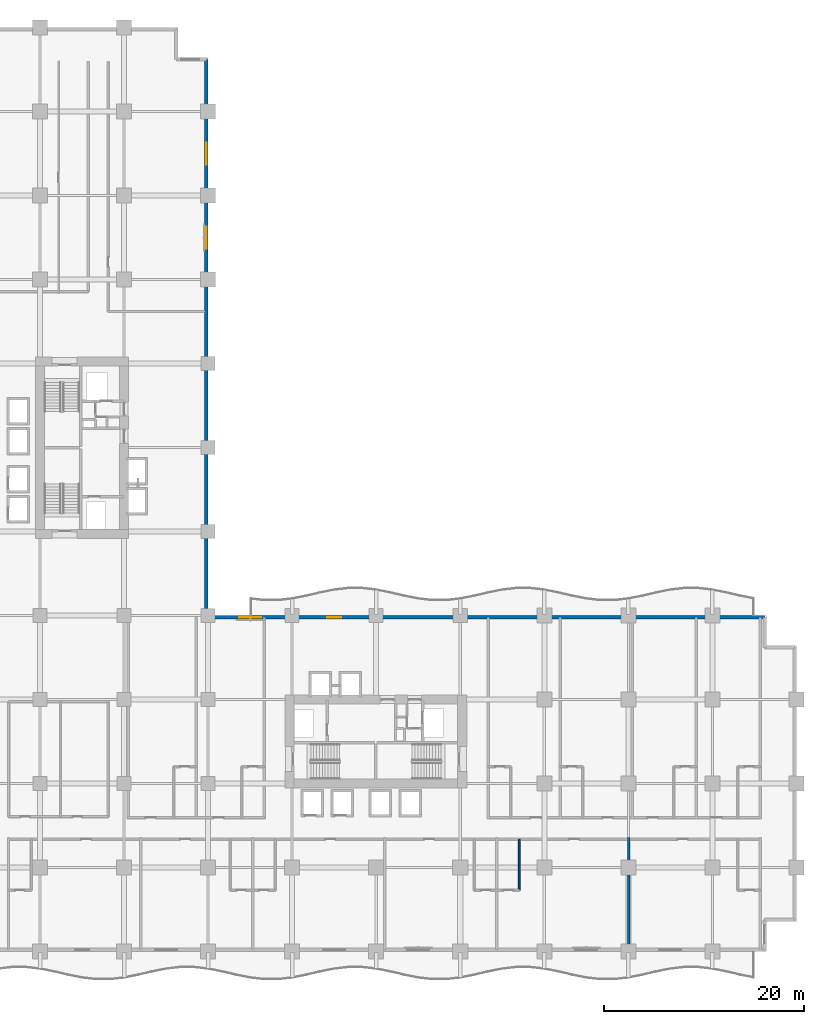
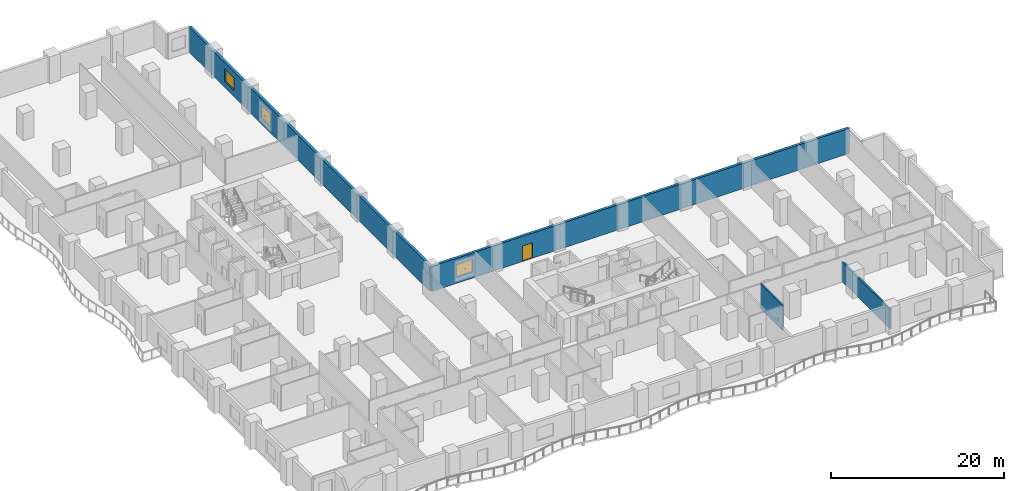
# One storey, part 11 of 22: 4 walls, 3 windows, 1 door, 4 openings.
"""IFC4 building model written with IfcOpenShell, lengths in metres."""

from ifc_helpers import new_model, si_unit, direction, frame, frame_2d, origin, place, context, subcontext, project, spatial, rectangle, extrude, material, layer, layer_set, type_object, element, fill, save


model = new_model("IFC4")

# Units and contexts
model_context = context("Model", 3, precision=1e-05, world=origin(), true_north=direction((0.0, 1.0)))
body_context = subcontext(model_context, "Body", "Model", "MODEL_VIEW")
ifc_project = project(units=[si_unit("LENGTHUNIT", "METRE"), si_unit("AREAUNIT", "SQUARE_METRE"), si_unit("VOLUMEUNIT", "CUBIC_METRE"), si_unit("PLANEANGLEUNIT", "RADIAN"), si_unit("MASSUNIT", "GRAM", prefix="KILO")], contexts=[model_context])

# Site, building, storey
site_placement = place(None, origin())
site = spatial("IfcSite", under=ifc_project, at=site_placement, CompositionType="ELEMENT")
building_placement = place(site_placement, origin())
building = spatial("IfcBuilding", under=site, at=building_placement, Name="Koriwani Terraces Tower", CompositionType="ELEMENT")
storey_placement = place(building_placement, frame((0.0, 0.0, 51.0)))
storey = spatial("IfcBuildingStorey", under=building, at=storey_placement, Name="L11", CompositionType="ELEMENT", Elevation=51.0)

# Wall
ifc_material_1 = material(Name="Autoclaved Cellular Concrete Blockwork", Category="masonry")
ifc_layer_1 = layer(ifc_material_1, 0.219970703125, Name="Autoclaved Cellular Concrete Blockwork")
ifc_layer_set_1 = layer_set([ifc_layer_1], Name="Autoclaved Cellular Concrete Blockwork")
wall_type_1 = type_object("IfcWallType", Name="WALL_DEMISING_220", PredefinedType="PARTITIONING", material=ifc_layer_set_1)
wall_1_placement = place(storey_placement, frame((75.64990234375, 0.199951171875, 0.0), z_axis=(0.0, 0.0, 1.0), x_axis=(0.0, 1.0, 0.0)))
element("IfcWall", 1, at=wall_1_placement, inside=storey, type_object=wall_type_1, Name="L11 Interior Wall WDEM-L11-SW-5", PredefinedType="PARTITIONING", context=body_context, shape_type="SweptSolid", body=[
    extrude(rectangle(XDim=11.22998046875, YDim=0.219970703125, at=frame_2d((5.614990234375, 0.0))), origin(), (0.0, 0.0, 1.0), 2.800048828125),
])

# Wall, openings, windows
ifc_material_2 = material(Name="Concrete C50/60", Category="concrete")
ifc_layer_2 = layer(ifc_material_2, 0.35009765625, Name="Concrete C50/60")
ifc_layer_set_2 = layer_set([ifc_layer_2], Name="Concrete C50/60")
wall_type_2 = type_object("IfcWallType", Name="WALL_EXT_BRUTALIST_350", PredefinedType="STANDARD", material=ifc_layer_set_2)
wall_2_placement = place(storey_placement, frame((33.425048828125, 89.22509765625, 0.0), z_axis=(0.0, 0.0, 1.0), x_axis=(0.0, -1.0, 0.0)))
wall_2 = element("IfcWall", 2, at=wall_2_placement, inside=storey, type_object=wall_type_2, Name="L11 Fair-Faced Brutalist Exterior Wall (NW_IN)", PredefinedType="STANDARD", context=body_context, shape_type="SweptSolid", body=[
    extrude(rectangle(XDim=55.800048828125, YDim=0.35009765625, at=frame_2d((27.89990234375, 0.0))), origin(), (0.0, 0.0, 1.0), 3.550048828125),
])
opening_1_placement = place(wall_2_placement, frame((16.72509765625, 0.0, 0.85009765625)))
opening_1 = element("IfcOpeningElement", 3, at=opening_1_placement, cuts=wall_2, Name="Opening W-01", PredefinedType="OPENING", context=body_context, shape_type="SweptSolid", body=[
    extrude(rectangle(XDim=2.199951171875, YDim=1.800048828125, at=frame_2d((1.10009765625, 0.89990234375))), frame((0.0, 0.18505859375, 0.0), z_axis=(0.0, -1.0, 0.0), x_axis=(1.0, 0.0, 0.0)), (0.0, 0.0, 1.0), 0.3701171875),
])
opening_2_placement = place(wall_2_placement, frame((8.324951171875, 0.0, 0.85009765625)))
opening_2 = element("IfcOpeningElement", 4, at=opening_2_placement, cuts=wall_2, Name="Opening W-01", PredefinedType="OPENING", context=body_context, shape_type="SweptSolid", body=[
    extrude(rectangle(XDim=2.199951171875, YDim=1.800048828125, at=frame_2d((1.10009765625, 0.89990234375))), frame((0.0, 0.18505859375, 0.0), z_axis=(0.0, -1.0, 0.0), x_axis=(1.0, 0.0, 0.0)), (0.0, 0.0, 1.0), 0.3701171875),
])
ifc_material_3 = material(Name="Tempered Laminated Low-E Glass", Category="glass")
window_type = type_object("IfcWindowType", Name="WIN_HOTEL_STD_2200X1800", PartitioningType="DOUBLE_PANEL_VERTICAL", PredefinedType="WINDOW", material=ifc_material_3)
window_1_placement = place(opening_1_placement, origin())
window_1 = element("IfcWindow", 5, at=window_1_placement, inside=storey, type_object=window_type, Name="L11 Exterior Window (NW_IN-14)", OverallHeight=1.800048828125, OverallWidth=2.199951171875, PartitioningType="SINGLE_PANEL", PredefinedType="WINDOW", context=body_context, shape_type="SweptSolid", body=[
    extrude(rectangle(XDim=2.199951171875, YDim=1.800048828125, at=frame_2d((1.10009765625, 0.89990234375))), frame((0.0, 0.030029296875, 0.0), z_axis=(0.0, -1.0, 0.0), x_axis=(1.0, 0.0, 0.0)), (0.0, 0.0, 1.0), 0.06005859375),
])
fill(opening_1, window_1)
window_2_placement = place(opening_2_placement, origin())
window_2 = element("IfcWindow", 6, at=window_2_placement, inside=storey, type_object=window_type, Name="L11 Exterior Window (NW_IN-17)", OverallHeight=1.800048828125, OverallWidth=2.199951171875, PartitioningType="SINGLE_PANEL", PredefinedType="WINDOW", context=body_context, shape_type="SweptSolid", body=[
    extrude(rectangle(XDim=2.199951171875, YDim=1.800048828125, at=frame_2d((1.10009765625, 0.89990234375))), frame((0.0, 0.030029296875, 0.0), z_axis=(0.0, -1.0, 0.0), x_axis=(1.0, 0.0, 0.0)), (0.0, 0.0, 1.0), 0.06005859375),
])
fill(opening_2, window_2)

# Wall, openings, door, window
wall_3_placement = place(storey_placement, frame((33.425048828125, 33.425048828125, 0.0), z_axis=(0.0, 0.0, 1.0), x_axis=(1.0, 0.0, 0.0)))
wall_3 = element("IfcWall", 7, at=wall_3_placement, inside=storey, type_object=wall_type_2, Name="L11 Fair-Faced Brutalist Exterior Wall (NE)", PredefinedType="STANDARD", context=body_context, shape_type="SweptSolid", body=[
    extrude(rectangle(XDim=55.800048828125, YDim=0.35009765625, at=frame_2d((27.89990234375, 0.0))), origin(), (0.0, 0.0, 1.0), 3.550048828125),
])
opening_3_placement = place(wall_3_placement, frame((12.074951171875, 0.0, 0.0)))
opening_3 = element("IfcOpeningElement", 8, at=opening_3_placement, cuts=wall_3, Name="Opening D-09", PredefinedType="OPENING", context=body_context, shape_type="SweptSolid", body=[
    extrude(rectangle(XDim=1.39990234375, YDim=2.199951171875, at=frame_2d((0.699951171875, 1.10009765625))), frame((0.0, 0.18505859375, 0.0), z_axis=(0.0, -1.0, 0.0), x_axis=(1.0, 0.0, 0.0)), (0.0, 0.0, 1.0), 0.3701171875),
])
opening_4_placement = place(wall_3_placement, frame((3.27490234375, 0.0, 0.85009765625)))
opening_4 = element("IfcOpeningElement", 9, at=opening_4_placement, cuts=wall_3, Name="Opening W-01", PredefinedType="OPENING", context=body_context, shape_type="SweptSolid", body=[
    extrude(rectangle(XDim=2.199951171875, YDim=1.800048828125, at=frame_2d((1.10009765625, 0.89990234375))), frame((0.0, 0.18505859375, 0.0), z_axis=(0.0, -1.0, 0.0), x_axis=(1.0, 0.0, 0.0)), (0.0, 0.0, 1.0), 0.3701171875),
])
ifc_material_4 = material(Name="Anodised Bronze Aluminium", Category="aluminium")
door_type = type_object("IfcDoorType", Name="DOOR_BALCONY_GLAZED_1400X2200", OperationType="NOTDEFINED", PredefinedType="DOOR", material=ifc_material_4)
door_placement = place(opening_3_placement, origin())
door = element("IfcDoor", 10, at=door_placement, inside=storey, type_object=door_type, Name="L11 Inner Court Balcony Glazed Door", OperationType="SINGLE_SWING_LEFT", OverallHeight=2.199951171875, OverallWidth=1.39990234375, PredefinedType="DOOR", context=body_context, shape_type="SweptSolid", body=[
    extrude(rectangle(XDim=1.39990234375, YDim=2.199951171875, at=frame_2d((0.699951171875, 1.10009765625))), frame((0.0, 0.02490234375, 0.0), z_axis=(0.0, -1.0, 0.0), x_axis=(1.0, 0.0, 0.0)), (0.0, 0.0, 1.0), 0.050048828125),
])
fill(opening_3, door)
window_3_placement = place(opening_4_placement, origin())
window_3 = element("IfcWindow", 11, at=window_3_placement, inside=storey, type_object=window_type, Name="L11 Exterior Window (NE-2)", OverallHeight=1.800048828125, OverallWidth=2.199951171875, PartitioningType="SINGLE_PANEL", PredefinedType="WINDOW", context=body_context, shape_type="SweptSolid", body=[
    extrude(rectangle(XDim=2.199951171875, YDim=1.800048828125, at=frame_2d((1.10009765625, 0.89990234375))), frame((0.0, 0.030029296875, 0.0), z_axis=(0.0, -1.0, 0.0), x_axis=(1.0, 0.0, 0.0)), (0.0, 0.0, 1.0), 0.06005859375),
])
fill(opening_4, window_3)

# Wall
ifc_material_5 = material(Name="Fire-Rated Acoustic Gypsum Partition", Category="masonry")
ifc_layer_3 = layer(ifc_material_5, 0.179931640625, Name="Fire-Rated Acoustic Gypsum Partition")
ifc_layer_set_3 = layer_set([ifc_layer_3], Name="Fire-Rated Acoustic Gypsum Partition")
wall_type_3 = type_object("IfcWallType", Name="WALL_PLUMBING_180", PredefinedType="PLUMBINGWALL", material=ifc_layer_set_3)
wall_4_placement = place(storey_placement, frame((64.699951171875, 6.14990234375, 0.0), z_axis=(0.0, 0.0, 1.0), x_axis=(0.0, 1.0, 0.0)))
element("IfcWall", 12, at=wall_4_placement, inside=storey, type_object=wall_type_3, Name="L11 Interior Wall WBTH2-L11-SW-4", PredefinedType="PLUMBINGWALL", context=body_context, shape_type="SweptSolid", body=[
    extrude(rectangle(XDim=5.10009765625, YDim=0.179931640625, at=frame_2d((2.550048828125, 0.0))), origin(), (0.0, 0.0, 1.0), 3.550048828125),
])

save(model, "model.ifc")
